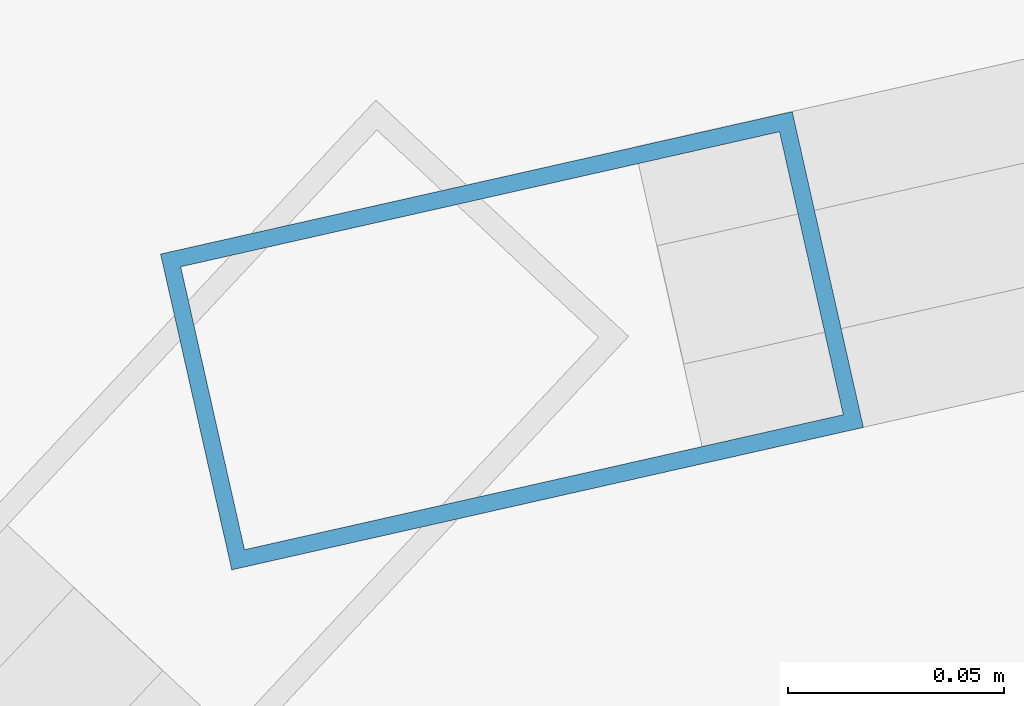
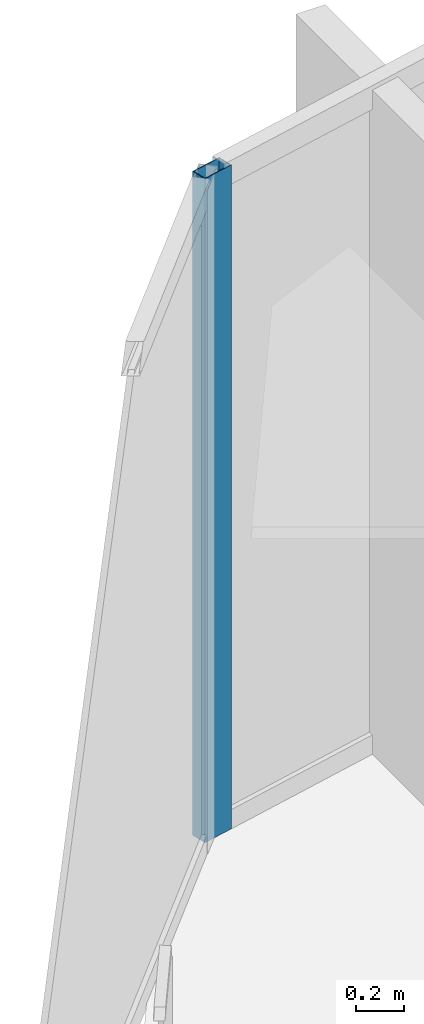
# One storey, part 17 of 33: 1 member, 1 element without a shape of its own.
"""IFC4 building model written with IfcOpenShell, lengths in metres."""

from ifc_helpers import new_model, si_unit, direction, frame, origin, origin_2d, place, context, subcontext, project, spatial, hollow_rectangle, extrude, material, layer, layer_set, material_profile, profile_set, type_object, element, aggregate, save


model = new_model("IFC4")

# Units and contexts
model_context = context("Model", 3, precision=1e-05, world=origin(), true_north=direction((0.0, 1.0)))
body_context = subcontext(model_context, "Body", "Model", "MODEL_VIEW")
ifc_project = project(units=[si_unit("LENGTHUNIT", "METRE"), si_unit("AREAUNIT", "SQUARE_METRE"), si_unit("VOLUMEUNIT", "CUBIC_METRE"), si_unit("PLANEANGLEUNIT", "RADIAN"), si_unit("MASSUNIT", "GRAM", prefix="KILO")], contexts=[model_context])

# Site, building, storey
site_placement = place(None, origin())
site = spatial("IfcSite", under=ifc_project, at=site_placement, CompositionType="ELEMENT")
building_placement = place(site_placement, origin())
building = spatial("IfcBuilding", under=site, at=building_placement, Name="Kazevale Care Tower and Concert Hall", CompositionType="ELEMENT")
storey_placement = place(building_placement, frame((0.0, 0.0, 45.60009765625)))
storey = spatial("IfcBuildingStorey", under=building, at=storey_placement, Name="L11", CompositionType="ELEMENT", Elevation=45.60009765625)

# Curtain wall, member
ifc_material_1 = material(Name="Aluminium 6063-T6 and Low-E Glass", Category="aluminium")
ifc_layer = layer(ifc_material_1, 0.179931640625)
ifc_layer_set = layer_set([ifc_layer], Name="Aluminium 6063-T6 and Low-E Glass")
curtain_wall_type = type_object("IfcCurtainWallType", Name="Convex Recessed Sunroom Curtain Wall CW-3", PredefinedType="NOTDEFINED", material=ifc_layer_set)
curtain_wall_placement = place(storey_placement, origin())
curtain_wall = element("IfcCurtainWall", 1, at=curtain_wall_placement, inside=storey, type_object=curtain_wall_type, Name="cw:L11:f15", PredefinedType="NOTDEFINED")
ifc_material_2 = material(Name="Aluminium 6063-T6", Category="aluminium")
ifc_material_profile = material_profile(ifc_material_2, hollow_rectangle(XDim=0.074951171875, YDim=0.14990234375, WallThickness=0.00390625, at=origin_2d()), Name="ALU75x150x4")
ifc_profile_set = profile_set([ifc_material_profile], Name="Aluminium 6063-T6")
member_type = type_object("IfcMemberType", Name="CW-3 Mullion ALU75x150x4", PredefinedType="MULLION", material=ifc_profile_set)
member_placement = place(storey_placement, frame((25.073486328125, 62.88525390625, 0.0), z_axis=(0.0, 0.0, 1.0), x_axis=(-0.219910670667, 0.975520013596, 0.0)))
member = element("IfcMember", 2, at=member_placement, type_object=member_type, Name="CW-3 mullion 1", PredefinedType="MULLION", context=body_context, shape_type="SweptSolid", body=[
    extrude(hollow_rectangle(XDim=0.074951171875, YDim=0.14990234375, WallThickness=0.00390625, at=origin_2d()), origin(), (0.0, 0.0, 1.0), 3.35986328125),
])
aggregate(curtain_wall, [member])

save(model, "model.ifc")
